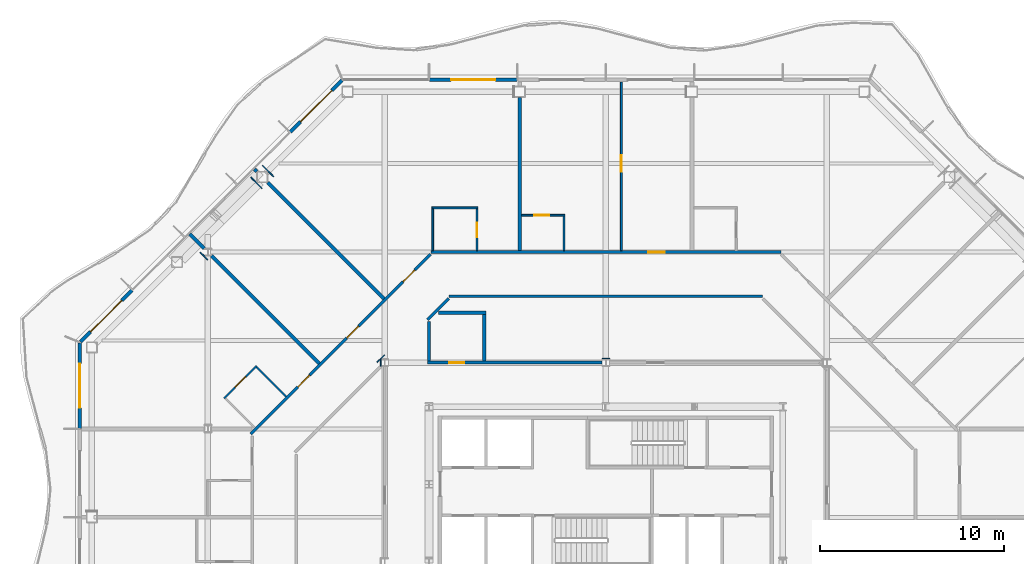
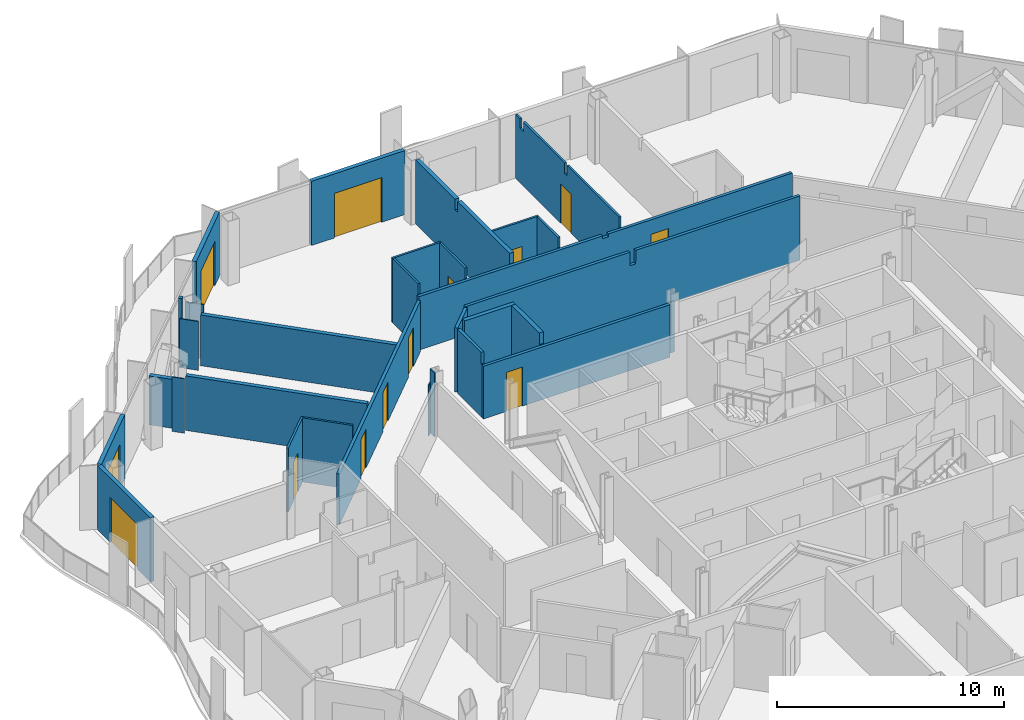
# One storey, part 12 of 21: 31 walls, 13 doors, 13 openings.
"""IFC4 building model written with IfcOpenShell, lengths in metres."""

import ifcopenshell
import ifcopenshell.guid

model = None  # the IFC model being written
_history = None  # IfcOwnerHistory: only IFC2X3 demands one
_inside = {}  # id of a spatial element -> (the spatial element, [elements in it])
_under = {}  # id of a project, library or spatial element -> (it, [spatial elements below it])
_declared = {}  # id of a project -> (the project, [libraries it declares])
_typed = {}  # id of a type object -> (the type object, [elements of that type])
_made_of = {}  # id of a material, layer set ... -> (it, [elements and type objects made of it])


def new_model(schema):
    """Start an empty IFC model of exactly this schema.

    Asked for "IFC4X3", IfcOpenShell would pick the latest addendum, in which some entities
    have other attributes; the version numbers below select the first issue.
    IFC2X3 requires an IfcOwnerHistory on every rooted entity: one is made here for all.
    """
    global model, _history
    if schema == "IFC4X3":
        model = ifcopenshell.file(schema_version=(4, 3, 0, 0))
    else:
        model = ifcopenshell.file(schema=schema)
    _inside.clear()
    _under.clear()
    _declared.clear()
    _typed.clear()
    _made_of.clear()
    _history = None
    if model.schema == "IFC2X3":
        org = make("IfcOrganization", Name="unknown")
        user = make(
            "IfcPersonAndOrganization",
            ThePerson=make("IfcPerson", FamilyName="unknown"),
            TheOrganization=org,
        )
        app = make(
            "IfcApplication",
            ApplicationDeveloper=org,
            Version="unknown",
            ApplicationFullName="unknown",
            ApplicationIdentifier="unknown",
        )
        _history = make(
            "IfcOwnerHistory",
            OwningUser=user,
            OwningApplication=app,
            ChangeAction="ADDED",
            CreationDate=0,
        )
    return model


def make(cls, **values):
    """One entity of the class cls with the attributes given. An attribute that is None is left unset."""
    return model.create_entity(
        cls, **{name: value for name, value in values.items() if value is not None}
    )


def rooted(cls, **values):
    """An entity with a GlobalId (a new one), such as an element, a storey or a relation."""
    return make(cls, GlobalId=ifcopenshell.guid.new(), OwnerHistory=_history, **values)


def si_unit(unit_type, name, prefix=None):
    """IfcSIUnit, for example si_unit("LENGTHUNIT", "METRE", prefix="MILLI")."""
    return make("IfcSIUnit", UnitType=unit_type, Prefix=prefix, Name=name)


def assignment(units):
    """IfcUnitAssignment: the units of a project."""
    return None if units is None else make("IfcUnitAssignment", Units=units)


def point(xyz):
    """IfcCartesianPoint."""
    return None if xyz is None else make("IfcCartesianPoint", Coordinates=xyz)


def direction(xyz):
    """IfcDirection."""
    return None if xyz is None else make("IfcDirection", DirectionRatios=xyz)


def frame(location, z_axis=None, x_axis=None):
    """IfcAxis2Placement3D, a coordinate frame: its origin and axes. An axis left out is left unset."""
    return make(
        "IfcAxis2Placement3D",
        Location=point(location),
        Axis=direction(z_axis),
        RefDirection=direction(x_axis),
    )


def frame_2d(location, x_axis=None):
    """IfcAxis2Placement2D, a coordinate frame in the plane: its origin and x axis."""
    return make(
        "IfcAxis2Placement2D", Location=point(location), RefDirection=direction(x_axis)
    )


def origin():
    """The frame at (0, 0, 0) with its axes left unset."""
    return frame((0.0, 0.0, 0.0))


def place(relative_to, where):
    """IfcLocalPlacement: puts the frame where relative to a parent placement (None: the world)."""
    return make(
        "IfcLocalPlacement", PlacementRelTo=relative_to, RelativePlacement=where
    )


def context(
    kind, dimensions, precision=None, world=None, true_north=None, identifier=None
):
    """IfcGeometricRepresentationContext, for example the 3D "Model" context."""
    return make(
        "IfcGeometricRepresentationContext",
        ContextIdentifier=identifier,
        ContextType=kind,
        CoordinateSpaceDimension=dimensions,
        Precision=precision,
        WorldCoordinateSystem=world,
        TrueNorth=true_north,
    )


def subcontext(parent, identifier, kind, view, scale=None):
    """IfcGeometricRepresentationSubContext, for example "Body" below "Model"."""
    return make(
        "IfcGeometricRepresentationSubContext",
        ContextIdentifier=identifier,
        ContextType=kind,
        ParentContext=parent,
        TargetScale=scale,
        TargetView=view,
    )


def project(units=None, contexts=None):
    """IfcProject with its units and contexts."""
    return rooted(
        "IfcProject",
        Name="project",
        RepresentationContexts=contexts,
        UnitsInContext=assignment(units),
    )


def spatial(cls, under=None, at=None, **own):
    """A site, building, storey or space (cls), placed at a placement, below another one or the project."""
    s = rooted(cls, ObjectPlacement=at, **own)
    if under is not None:
        _under.setdefault(under.id(), (under, []))[1].append(s)
    return s


def polyline(points):
    """IfcPolyline through the points."""
    return make("IfcPolyline", Points=[point(p) for p in points])


def profile(cls, at=None, kind="AREA", **sizes):
    """A parametric profile (cls). Its sizes go by their IFC names, for example OverallWidth=200.0."""
    return make(cls, ProfileType=kind, Position=at, **sizes)


def rectangle(**sizes):
    """IfcRectangleProfileDef."""
    return profile("IfcRectangleProfileDef", **sizes)


def outline(outer, holes=None, kind="AREA"):
    """IfcArbitraryClosedProfileDef: a profile drawn as a closed curve; with holes, ...WithVoids."""
    if holes is None:
        return make("IfcArbitraryClosedProfileDef", ProfileType=kind, OuterCurve=outer)
    return make(
        "IfcArbitraryProfileDefWithVoids",
        ProfileType=kind,
        OuterCurve=outer,
        InnerCurves=holes,
    )


def extrude(swept, where, along, depth):
    """IfcExtrudedAreaSolid: the profile swept, set in the frame where, extruded along a direction by depth."""
    return make(
        "IfcExtrudedAreaSolid",
        SweptArea=swept,
        Position=where,
        ExtrudedDirection=direction(along),
        Depth=depth,
    )


def shape(context_of_items, identifier, shape_type, items):
    """IfcShapeRepresentation: the items that make up one representation, for example the "Body"."""
    return make(
        "IfcShapeRepresentation",
        ContextOfItems=context_of_items,
        RepresentationIdentifier=identifier,
        RepresentationType=shape_type,
        Items=items,
    )


def material(Name=None, Category=None):
    """IfcMaterial."""
    return make("IfcMaterial", Name=Name, Category=Category)


def layer(
    of_material, thickness, ventilated=None, Name=None, Category=None, Priority=None
):
    """IfcMaterialLayer: one layer of a wall or slab, of a material (None: an air gap)."""
    return make(
        "IfcMaterialLayer",
        Material=of_material,
        LayerThickness=thickness,
        IsVentilated=ventilated,
        Name=Name,
        Category=Category,
        Priority=Priority,
    )


def layer_set(layers, Name=None):
    """IfcMaterialLayerSet."""
    return make("IfcMaterialLayerSet", MaterialLayers=layers, LayerSetName=Name)


def made_of(thing, what):
    """Note that an element or type object is made of a material, layer set ...; save() writes the relation."""
    if what is not None:
        _made_of.setdefault(what.id(), (what, []))[1].append(thing)
    return thing


def type_object(cls, material=None, **own):
    """A type object (cls), such as IfcWallType, which elements share."""
    return made_of(rooted(cls, **own), material)


def element(
    cls,
    number,
    at=None,
    inside=None,
    cuts=None,
    type_object=None,
    material=None,
    context=None,
    identifier="Body",
    shape_type=None,
    held_by="IfcProductDefinitionShape",
    body=None,
    shapes=None,
    **own,
):
    """One element of the class cls, such as IfcWall. Its Tag is "e" and its number.

    at: its placement. inside: the storey or other place that contains it. cuts: it is an
    opening in that element (IfcRelVoidsElement). A single representation is given by context,
    identifier, shape_type and body (its items); several are given by shapes. held_by: the class
    of the entity that holds the representations. save() writes the other relations.
    """
    e = rooted(cls, Tag="e%d" % number, ObjectPlacement=at, **own)
    if body is not None:
        shapes = [shape(context, identifier, shape_type, body)]
    if shapes is not None:
        e.Representation = make(held_by, Representations=shapes)
    if inside is not None:
        _inside.setdefault(inside.id(), (inside, []))[1].append(e)
    if cuts is not None:
        rooted(
            "IfcRelVoidsElement", RelatingBuildingElement=cuts, RelatedOpeningElement=e
        )
    if type_object is not None:
        _typed.setdefault(type_object.id(), (type_object, []))[1].append(e)
    return made_of(e, material)


def fill(opening, filler):
    """IfcRelFillsElement: the door or window that sits in an opening."""
    return rooted(
        "IfcRelFillsElement",
        RelatingOpeningElement=opening,
        RelatedBuildingElement=filler,
    )


def aggregate(whole, parts):
    """IfcRelAggregates: a whole, such as a stair, and the parts it consists of."""
    return rooted("IfcRelAggregates", RelatingObject=whole, RelatedObjects=parts)


def save(model, path):
    """Write the relations noted so far, then the file.

    IfcRelAggregates (storeys below a building ...), IfcRelContainedInSpatialStructure (elements
    in a storey), IfcRelDefinesByType, IfcRelAssociatesMaterial and IfcRelDeclares: one each for
    every whole, place, type object, material and project.
    """
    for whole, parts in _under.values():
        aggregate(whole, parts)
    for where, things in _inside.values():
        rooted(
            "IfcRelContainedInSpatialStructure",
            RelatedElements=things,
            RelatingStructure=where,
        )
    for kind, things in _typed.values():
        rooted("IfcRelDefinesByType", RelatedObjects=things, RelatingType=kind)
    for what, things in _made_of.values():
        rooted("IfcRelAssociatesMaterial", RelatedObjects=things, RelatingMaterial=what)
    for by, libraries in _declared.values():
        rooted("IfcRelDeclares", RelatingContext=by, RelatedDefinitions=libraries)
    model.write(path)


model = new_model("IFC4")

# Units and contexts
model_context = context("Model", 3, precision=1e-05, world=origin(), true_north=direction((0.0, 1.0)))
body_context = subcontext(model_context, "Body", "Model", "MODEL_VIEW")
ifc_project = project(units=[si_unit("LENGTHUNIT", "METRE"), si_unit("AREAUNIT", "SQUARE_METRE"), si_unit("VOLUMEUNIT", "CUBIC_METRE"), si_unit("PLANEANGLEUNIT", "RADIAN"), si_unit("MASSUNIT", "GRAM", prefix="KILO")], contexts=[model_context])

# Site, building, storey
site_placement = place(None, origin())
site = spatial("IfcSite", under=ifc_project, at=site_placement, CompositionType="ELEMENT")
building_placement = place(site_placement, origin())
building = spatial("IfcBuilding", under=site, at=building_placement, Name="Cairn Pilgrim Tower", CompositionType="ELEMENT")
storey_placement = place(building_placement, frame((0.0, 0.0, 150.60009765625)))
storey = spatial("IfcBuildingStorey", under=building, at=storey_placement, Name="L37", CompositionType="ELEMENT", Elevation=150.60009765625)

# Wall, opening, door
ifc_material_1 = material(Name="Bronze anodised aluminium insulated sandwich panel with mineral wool fill", Category="aluminium")
ifc_layer_1 = layer(ifc_material_1, 0.199951171875)
ifc_layer_set_1 = layer_set([ifc_layer_1], Name="BRONZE INFILL FRAME WALL 200")
wall_type_1 = type_object("IfcWallType", Name="BRONZE INFILL FRAME WALL 200", PredefinedType="NOTDEFINED", material=ifc_layer_set_1)
wall_1_placement = place(storey_placement, frame((2.3701171875, 28.550048828125, 0.0), z_axis=(0.0, 0.0, 1.0), x_axis=(-1.0, 0.0, 0.0)))
wall_1 = element("IfcWall", 1, at=wall_1_placement, inside=storey, type_object=wall_type_1, Name="Bronze infill frame wall IW-N5", PredefinedType="NOTDEFINED", context=body_context, shape_type="SweptSolid", body=[
    extrude(rectangle(XDim=4.740234375, YDim=0.199951171875, at=frame_2d((2.3701171875, 0.0))), origin(), (0.0, 0.0, 1.0), 3.449951171875),
])
opening_1_placement = place(wall_1_placement, frame((1.169677734375, 0.0, 0.0)))
opening_1 = element("IfcOpeningElement", 2, at=opening_1_placement, cuts=wall_1, Name="Opening 3711B", PredefinedType="OPENING", context=body_context, shape_type="SweptSolid", body=[
    extrude(rectangle(XDim=2.39990234375, YDim=2.39990234375, at=frame_2d((1.199951171875, 1.199951171875))), frame((0.0, 0.10986328125, 0.0), z_axis=(0.0, -1.0, 0.0), x_axis=(1.0, 0.0, 0.0)), (0.0, 0.0, 1.0), 0.219970703125),
])
ifc_material_2 = material(Name="Bronze anodised aluminium frame with tinted low-E glass", Category="aluminium")
door_type_1 = type_object("IfcDoorType", Name="BALCONY SLIDING DOOR 2400x2400", OperationType="DOUBLE_DOOR_SLIDING", PredefinedType="DOOR", material=ifc_material_2)
door_1_placement = place(opening_1_placement, origin())
door_1 = element("IfcDoor", 3, at=door_1_placement, inside=storey, type_object=door_type_1, Name="Balcony sliding door 3711B", OperationType="SINGLE_SWING_LEFT", OverallHeight=2.39990234375, OverallWidth=2.39990234375, PredefinedType="DOOR", context=body_context, shape_type="SweptSolid", body=[
    extrude(rectangle(XDim=2.39990234375, YDim=2.39990234375, at=frame_2d((1.199951171875, 1.199951171875))), frame((0.0, 0.02490234375, 0.0), z_axis=(0.0, -1.0, 0.0), x_axis=(1.0, 0.0, 0.0)), (0.0, 0.0, 1.0), 0.050048828125),
])
fill(opening_1, door_1)

wall_2_placement = place(storey_placement, frame((-7.124755859375, 28.521728515625, 0.0), z_axis=(0.0, 0.0, 1.0), x_axis=(-0.707106781187, -0.707106781187, 0.0)))
wall_2 = element("IfcWall", 4, at=wall_2_placement, inside=storey, type_object=wall_type_1, Name="Bronze infill frame wall IW-NW1", PredefinedType="NOTDEFINED", context=body_context, shape_type="SweptSolid", body=[
    extrude(rectangle(XDim=3.961669921875, YDim=0.199951171875, at=frame_2d((1.98095703125, 0.0))), origin(), (0.0, 0.0, 1.0), 3.449951171875),
])
opening_2_placement = place(wall_2_placement, frame((0.775390625, 0.0, 0.0)))
opening_2 = element("IfcOpeningElement", 5, at=opening_2_placement, cuts=wall_2, Name="Opening 3711B2", PredefinedType="OPENING", context=body_context, shape_type="SweptSolid", body=[
    extrude(rectangle(XDim=2.39990234375, YDim=2.39990234375, at=frame_2d((1.199951171875, 1.199951171875))), frame((0.0, 0.10986328125, 0.0), z_axis=(0.0, -1.0, 0.0), x_axis=(1.0, 0.0, 0.0)), (0.0, 0.0, 1.0), 0.219970703125),
])
door_2_placement = place(opening_2_placement, origin())
door_2 = element("IfcDoor", 6, at=door_2_placement, inside=storey, type_object=door_type_1, Name="Balcony sliding door 3711B2", OperationType="SINGLE_SWING_LEFT", OverallHeight=2.39990234375, OverallWidth=2.39990234375, PredefinedType="DOOR", context=body_context, shape_type="SweptSolid", body=[
    extrude(rectangle(XDim=2.39990234375, YDim=2.39990234375, at=frame_2d((1.199951171875, 1.199951171875))), frame((0.0, 0.02490234375, 0.0), z_axis=(0.0, -1.0, 0.0), x_axis=(1.0, 0.0, 0.0)), (0.0, 0.0, 1.0), 0.050048828125),
])
fill(opening_2, door_2)

wall_3_placement = place(storey_placement, frame((-18.5205078125, 17.1259765625, 0.0), z_axis=(0.0, 0.0, 1.0), x_axis=(-0.707106781187, -0.707106781187, 0.0)))
wall_3 = element("IfcWall", 7, at=wall_3_placement, inside=storey, type_object=wall_type_1, Name="Bronze infill frame wall IW-NW5", PredefinedType="NOTDEFINED", context=body_context, shape_type="SweptSolid", body=[
    extrude(rectangle(XDim=3.961669921875, YDim=0.199951171875, at=frame_2d((1.98095703125, 0.0))), origin(), (0.0, 0.0, 1.0), 3.449951171875),
])
opening_3_placement = place(wall_3_placement, frame((0.785888671875, 0.0, 0.0)))
opening_3 = element("IfcOpeningElement", 8, at=opening_3_placement, cuts=wall_3, Name="Opening 3713B2", PredefinedType="OPENING", context=body_context, shape_type="SweptSolid", body=[
    extrude(rectangle(XDim=2.39990234375, YDim=2.39990234375, at=frame_2d((1.199951171875, 1.199951171875))), frame((0.0, 0.10986328125, 0.0), z_axis=(0.0, -1.0, 0.0), x_axis=(1.0, 0.0, 0.0)), (0.0, 0.0, 1.0), 0.219970703125),
])
door_3_placement = place(opening_3_placement, origin())
door_3 = element("IfcDoor", 9, at=door_3_placement, inside=storey, type_object=door_type_1, Name="Balcony sliding door 3713B2", OperationType="SINGLE_SWING_LEFT", OverallHeight=2.39990234375, OverallWidth=2.39990234375, PredefinedType="DOOR", context=body_context, shape_type="SweptSolid", body=[
    extrude(rectangle(XDim=2.39990234375, YDim=2.39990234375, at=frame_2d((1.199951171875, 1.199951171875))), frame((0.0, 0.02490234375, 0.0), z_axis=(0.0, -1.0, 0.0), x_axis=(1.0, 0.0, 0.0)), (0.0, 0.0, 1.0), 0.050048828125),
])
fill(opening_3, door_3)

wall_4_placement = place(storey_placement, frame((-21.35009765625, 14.25634765625, 0.0), z_axis=(0.0, 0.0, 1.0), x_axis=(0.0, -1.0, 0.0)))
wall_4 = element("IfcWall", 10, at=wall_4_placement, inside=storey, type_object=wall_type_1, Name="Bronze infill frame wall IW-W1", PredefinedType="NOTDEFINED", context=body_context, shape_type="SweptSolid", body=[
    extrude(rectangle(XDim=4.62646484375, YDim=0.199951171875, at=frame_2d((2.313232421875, 0.0))), origin(), (0.0, 0.0, 1.0), 3.449951171875),
])
opening_4_placement = place(wall_4_placement, frame((1.1083984375, 0.0, 0.0)))
opening_4 = element("IfcOpeningElement", 11, at=opening_4_placement, cuts=wall_4, Name="Opening 3713B", PredefinedType="OPENING", context=body_context, shape_type="SweptSolid", body=[
    extrude(rectangle(XDim=2.39990234375, YDim=2.39990234375, at=frame_2d((1.199951171875, 1.199951171875))), frame((0.0, 0.10986328125, 0.0), z_axis=(0.0, -1.0, 0.0), x_axis=(1.0, 0.0, 0.0)), (0.0, 0.0, 1.0), 0.219970703125),
])
door_4_placement = place(opening_4_placement, origin())
door_4 = element("IfcDoor", 12, at=door_4_placement, inside=storey, type_object=door_type_1, Name="Balcony sliding door 3713B", OperationType="SINGLE_SWING_LEFT", OverallHeight=2.39990234375, OverallWidth=2.39990234375, PredefinedType="DOOR", context=body_context, shape_type="SweptSolid", body=[
    extrude(rectangle(XDim=2.39990234375, YDim=2.39990234375, at=frame_2d((1.199951171875, 1.199951171875))), frame((0.0, 0.02490234375, 0.0), z_axis=(0.0, -1.0, 0.0), x_axis=(1.0, 0.0, 0.0)), (0.0, 0.0, 1.0), 0.050048828125),
])
fill(opening_4, door_4)

ifc_material_3 = material(Name="Gypsum partition")
ifc_layer_2 = layer(ifc_material_3, 0.10009765625)
ifc_layer_set_2 = layer_set([ifc_layer_2], Name="PARTITION 100 DRYWALL")
wall_type_2 = type_object("IfcWallType", Name="PARTITION 100 DRYWALL", PredefinedType="PARTITIONING", material=ifc_layer_set_2)
wall_5_placement = place(storey_placement, frame((-13.5263671875, 11.26171875, 0.0), z_axis=(0.0, 0.0, 1.0), x_axis=(0.707106781187, 0.707106781187, 0.0)))
wall_5 = element("IfcWall", 13, at=wall_5_placement, inside=storey, type_object=wall_type_2, Name="PARTITION W078", PredefinedType="PARTITIONING", context=body_context, shape_type="SweptSolid", body=[
    extrude(rectangle(XDim=2.499755859375, YDim=0.10009765625, at=frame_2d((1.25, 0.0))), origin(), (0.0, 0.0, 1.0), 3.449951171875),
])
opening_5_placement = place(wall_5_placement, frame((0.849853515625, 0.0, 0.0)))
opening_5 = element("IfcOpeningElement", 14, at=opening_5_placement, cuts=wall_5, Name="Opening 3713A", PredefinedType="OPENING", context=body_context, shape_type="SweptSolid", body=[
    extrude(rectangle(XDim=0.800048828125, YDim=2.10009765625, at=frame_2d((0.39990234375, 1.050048828125))), frame((0.0, 0.06005859375, 0.0), z_axis=(0.0, -1.0, 0.0), x_axis=(1.0, 0.0, 0.0)), (0.0, 0.0, 1.0), 0.1201171875),
])
ifc_material_4 = material(Name="Timber door leaf", Category="wood")
door_type_2 = type_object("IfcDoorType", Name="WC DOOR 800x2100", OperationType="NOTDEFINED", PredefinedType="DOOR", material=ifc_material_4)
door_5_placement = place(opening_5_placement, origin())
door_5 = element("IfcDoor", 15, at=door_5_placement, inside=storey, type_object=door_type_2, Name="DOOR 3713A", OperationType="SINGLE_SWING_RIGHT", OverallHeight=2.10009765625, OverallWidth=0.800048828125, PredefinedType="DOOR", context=body_context, shape_type="SweptSolid", body=[
    extrude(rectangle(XDim=0.800048828125, YDim=2.10009765625, at=frame_2d((0.39990234375, 1.050048828125))), frame((0.0, 0.02490234375, 0.0), z_axis=(0.0, -1.0, 0.0), x_axis=(1.0, 0.0, 0.0)), (0.0, 0.0, 1.0), 0.050048828125),
])
fill(opening_5, door_5)

# Walls
wall_6_placement = place(storey_placement, frame((-10.14990234375, 11.35009765625, 0.0), z_axis=(0.0, 0.0, 1.0), x_axis=(-0.707160441348, 0.707053116953, 0.0)))
element("IfcWall", 16, at=wall_6_placement, inside=storey, type_object=wall_type_2, Name="PARTITION W079", PredefinedType="PARTITIONING", context=body_context, shape_type="SweptSolid", body=[
    extrude(rectangle(XDim=2.27490234375, YDim=0.10009765625, at=frame_2d((1.137451171875, 0.0))), origin(), (0.0, 0.0, 1.0), 3.449951171875),
])
wall_7_placement = place(storey_placement, frame((-2.194091796875, 19.27490234375, 0.0), z_axis=(0.0, 0.0, 1.0), x_axis=(0.0, 1.0, 0.0)))
element("IfcWall", 17, at=wall_7_placement, inside=storey, type_object=wall_type_2, Name="PARTITION W095", PredefinedType="PARTITIONING", context=body_context, shape_type="SweptSolid", body=[
    extrude(outline(polyline([(0.0, 0.0), (2.275146484375, 0.0), (2.27490234375, 3.449951171875), (0.030029296875, 3.449951171875), (0.028076171875, 2.8798828125), (0.0, 2.8798828125), (0.0, 0.0)])), frame((0.0, 0.050048828125, 0.0), z_axis=(0.0, -1.0, 0.0), x_axis=(1.0, 0.0, 0.0)), (0.0, 0.0, 1.0), 0.10009765625),
])

# Wall, opening, door
wall_8_placement = place(storey_placement, frame((0.2060546875, 19.27490234375, 0.0), z_axis=(0.0, 0.0, 1.0), x_axis=(0.0, 1.0, 0.0)))
wall_8 = element("IfcWall", 18, at=wall_8_placement, inside=storey, type_object=wall_type_2, Name="PARTITION W096", PredefinedType="PARTITIONING", context=body_context, shape_type="SweptSolid", body=[
    extrude(outline(polyline([(0.0, 0.0), (2.275146484375, 0.0), (2.27490234375, 3.449951171875), (0.030029296875, 3.449951171875), (0.028076171875, 2.8798828125), (0.0, 2.8798828125), (0.0, 0.0)])), frame((0.0, 0.050048828125, 0.0), z_axis=(0.0, -1.0, 0.0), x_axis=(1.0, 0.0, 0.0)), (0.0, 0.0, 1.0), 0.10009765625),
])
opening_6_placement = place(wall_8_placement, frame((0.72509765625, 0.0, 0.0)))
opening_6 = element("IfcOpeningElement", 19, at=opening_6_placement, cuts=wall_8, Name="Opening 3711A", PredefinedType="OPENING", context=body_context, shape_type="SweptSolid", body=[
    extrude(rectangle(XDim=0.800048828125, YDim=2.10009765625, at=frame_2d((0.39990234375, 1.050048828125))), frame((0.0, 0.06005859375, 0.0), z_axis=(0.0, -1.0, 0.0), x_axis=(1.0, 0.0, 0.0)), (0.0, 0.0, 1.0), 0.1201171875),
])
door_6_placement = place(opening_6_placement, frame((0.800048828125, 0.0, 0.0), z_axis=(0.0, 0.0, 1.0), x_axis=(-1.0, 0.0, 0.0)))
door_6 = element("IfcDoor", 20, at=door_6_placement, inside=storey, type_object=door_type_2, Name="DOOR 3711A", OperationType="SINGLE_SWING_RIGHT", OverallHeight=2.10009765625, OverallWidth=0.800048828125, PredefinedType="DOOR", context=body_context, shape_type="SweptSolid", body=[
    extrude(rectangle(XDim=0.800048828125, YDim=2.10009765625, at=frame_2d((0.39990234375, 1.050048828125))), frame((0.0, 0.02490234375, 0.0), z_axis=(0.0, -1.0, 0.0), x_axis=(1.0, 0.0, 0.0)), (0.0, 0.0, 1.0), 0.050048828125),
])
fill(opening_6, door_6)

# Wall
wall_9_placement = place(storey_placement, frame((4.924072265625, 19.27490234375, 0.0), z_axis=(0.0, 0.0, 1.0), x_axis=(0.0, 1.0, 0.0)))
element("IfcWall", 21, at=wall_9_placement, inside=storey, type_object=wall_type_2, Name="PARTITION W098", PredefinedType="PARTITIONING", context=body_context, shape_type="SweptSolid", body=[
    extrude(outline(polyline([(0.0, 0.0), (1.875, 0.0), (1.875, 3.449951171875), (0.030029296875, 3.449951171875), (0.028076171875, 2.8798828125), (0.0, 2.8798828125), (0.0, 0.0)])), frame((0.0, 0.050048828125, 0.0), z_axis=(0.0, -1.0, 0.0), x_axis=(1.0, 0.0, 0.0)), (0.0, 0.0, 1.0), 0.10009765625),
])

# Wall, opening, door
wall_10_placement = place(storey_placement, frame((8.0419921875, 19.27490234375, 0.0), z_axis=(0.0, 0.0, 1.0), x_axis=(0.0, 1.0, 0.0)))
wall_10 = element("IfcWall", 22, at=wall_10_placement, inside=storey, type_object=wall_type_2, Name="PARTITION W099", PredefinedType="PARTITIONING", context=body_context, shape_type="SweptSolid", body=[
    extrude(outline(polyline([(0.0, 0.0), (9.14501953125, 0.0), (9.14501953125, 3.449951171875), (8.77490234375, 3.449951171875), (8.77294921875, 2.929931640625), (8.47509765625, 2.929931640625), (8.472900390625, 3.449951171875), (4.830078125, 3.449951171875), (4.827880859375, 2.8798828125), (4.6201171875, 2.8798828125), (4.617919921875, 3.449951171875), (0.030029296875, 3.449951171875), (0.028076171875, 2.8798828125), (0.0, 2.8798828125), (0.0, 0.0)])), frame((0.0, 0.050048828125, 0.0), z_axis=(0.0, -1.0, 0.0), x_axis=(1.0, 0.0, 0.0)), (0.0, 0.0, 1.0), 0.10009765625),
])
opening_7_placement = place(wall_10_placement, frame((4.27490234375, 0.0, 0.0)))
opening_7 = element("IfcOpeningElement", 23, at=opening_7_placement, cuts=wall_10, Name="Opening 3710C", PredefinedType="OPENING", context=body_context, shape_type="SweptSolid", body=[
    extrude(rectangle(XDim=0.89990234375, YDim=2.10009765625, at=frame_2d((0.449951171875, 1.050048828125))), frame((0.0, 0.06005859375, 0.0), z_axis=(0.0, -1.0, 0.0), x_axis=(1.0, 0.0, 0.0)), (0.0, 0.0, 1.0), 0.1201171875),
])
door_type_3 = type_object("IfcDoorType", Name="SERVICE DOOR 900x2100", OperationType="NOTDEFINED", PredefinedType="DOOR", material=ifc_material_4)
door_7_placement = place(opening_7_placement, frame((0.89990234375, 0.0, 0.0), z_axis=(0.0, 0.0, 1.0), x_axis=(-1.0, 0.0, 0.0)))
door_7 = element("IfcDoor", 24, at=door_7_placement, inside=storey, type_object=door_type_3, Name="DOOR 3710C", OperationType="SINGLE_SWING_RIGHT", OverallHeight=2.10009765625, OverallWidth=0.89990234375, PredefinedType="DOOR", context=body_context, shape_type="SweptSolid", body=[
    extrude(rectangle(XDim=0.89990234375, YDim=2.10009765625, at=frame_2d((0.449951171875, 1.050048828125))), frame((0.0, 0.02490234375, 0.0), z_axis=(0.0, -1.0, 0.0), x_axis=(1.0, 0.0, 0.0)), (0.0, 0.0, 1.0), 0.050048828125),
])
fill(opening_7, door_7)

wall_11_placement = place(storey_placement, frame((2.6240234375, 21.199951171875, 0.0), z_axis=(0.0, 0.0, 1.0), x_axis=(1.0, 0.0, 0.0)))
wall_11 = element("IfcWall", 25, at=wall_11_placement, inside=storey, type_object=wall_type_2, Name="PARTITION W103", PredefinedType="PARTITIONING", context=body_context, shape_type="SweptSolid", body=[
    extrude(rectangle(XDim=2.35009765625, YDim=0.10009765625, at=frame_2d((1.175048828125, 0.0))), origin(), (0.0, 0.0, 1.0), 3.449951171875),
])
opening_8_placement = place(wall_11_placement, frame((0.699951171875, 0.0, 0.0)))
opening_8 = element("IfcOpeningElement", 26, at=opening_8_placement, cuts=wall_11, Name="Opening 3710A", PredefinedType="OPENING", context=body_context, shape_type="SweptSolid", body=[
    extrude(rectangle(XDim=0.800048828125, YDim=2.10009765625, at=frame_2d((0.39990234375, 1.050048828125))), frame((0.0, 0.06005859375, 0.0), z_axis=(0.0, -1.0, 0.0), x_axis=(1.0, 0.0, 0.0)), (0.0, 0.0, 1.0), 0.1201171875),
])
door_8_placement = place(opening_8_placement, origin())
door_8 = element("IfcDoor", 27, at=door_8_placement, inside=storey, type_object=door_type_2, Name="DOOR 3710A", OperationType="SINGLE_SWING_RIGHT", OverallHeight=2.10009765625, OverallWidth=0.800048828125, PredefinedType="DOOR", context=body_context, shape_type="SweptSolid", body=[
    extrude(rectangle(XDim=0.800048828125, YDim=2.10009765625, at=frame_2d((0.39990234375, 1.050048828125))), frame((0.0, 0.02490234375, 0.0), z_axis=(0.0, -1.0, 0.0), x_axis=(1.0, 0.0, 0.0)), (0.0, 0.0, 1.0), 0.050048828125),
])
fill(opening_8, door_8)

# Wall
wall_12_placement = place(storey_placement, frame((-2.243896484375, 21.60009765625, 0.0), z_axis=(0.0, 0.0, 1.0), x_axis=(1.0, 0.0, 0.0)))
element("IfcWall", 28, at=wall_12_placement, inside=storey, type_object=wall_type_2, Name="PARTITION W104", PredefinedType="PARTITIONING", context=body_context, shape_type="SweptSolid", body=[
    extrude(rectangle(XDim=2.5, YDim=0.10009765625, at=frame_2d((1.25, 0.0))), origin(), (0.0, 0.0, 1.0), 3.449951171875),
])

# Wall, openings, doors
ifc_layer_3 = layer(ifc_material_3, 0.14990234375)
ifc_layer_set_3 = layer_set([ifc_layer_3], Name="PARTITION 150 DRYWALL EI 60")
wall_type_3 = type_object("IfcWallType", Name="PARTITION 150 DRYWALL EI 60", PredefinedType="PARTITIONING", material=ifc_layer_set_3)
wall_13_placement = place(storey_placement, frame((-12.074951171875, 9.319091796875, 0.0), z_axis=(0.0, 0.0, 1.0), x_axis=(0.707106781187, 0.707106781187, 0.0)))
wall_13 = element("IfcWall", 29, at=wall_13_placement, inside=storey, type_object=wall_type_3, Name="PARTITION W070", PredefinedType="PARTITIONING", context=body_context, shape_type="SweptSolid", body=[
    extrude(rectangle(XDim=13.792724609375, YDim=0.14990234375, at=frame_2d((6.896484375, 0.0))), origin(), (0.0, 0.0, 1.0), 2.72998046875),
])
opening_9_placement = place(wall_13_placement, frame((11.691650390625, 0.0, 0.0)))
opening_9 = element("IfcOpeningElement", 30, at=opening_9_placement, cuts=wall_13, Name="Opening 3711", PredefinedType="OPENING", context=body_context, shape_type="SweptSolid", body=[
    extrude(rectangle(XDim=0.89990234375, YDim=2.10009765625, at=frame_2d((0.449951171875, 1.050048828125))), frame((0.0, 0.0849609375, 0.0), z_axis=(0.0, -1.0, 0.0), x_axis=(1.0, 0.0, 0.0)), (0.0, 0.0, 1.0), 0.169921875),
])
opening_10_placement = place(wall_13_placement, frame((7.3759765625, 0.0, 0.0)))
opening_10 = element("IfcOpeningElement", 31, at=opening_10_placement, cuts=wall_13, Name="Opening 3712", PredefinedType="OPENING", context=body_context, shape_type="SweptSolid", body=[
    extrude(rectangle(XDim=0.89990234375, YDim=2.10009765625, at=frame_2d((0.449951171875, 1.050048828125))), frame((0.0, 0.0849609375, 0.0), z_axis=(0.0, -1.0, 0.0), x_axis=(1.0, 0.0, 0.0)), (0.0, 0.0, 1.0), 0.169921875),
])
opening_11_placement = place(wall_13_placement, frame((3.620361328125, 0.0, 0.0)))
opening_11 = element("IfcOpeningElement", 32, at=opening_11_placement, cuts=wall_13, Name="Opening 3713", PredefinedType="OPENING", context=body_context, shape_type="SweptSolid", body=[
    extrude(rectangle(XDim=0.89990234375, YDim=2.10009765625, at=frame_2d((0.449951171875, 1.050048828125))), frame((0.0, 0.0849609375, 0.0), z_axis=(0.0, -1.0, 0.0), x_axis=(1.0, 0.0, 0.0)), (0.0, 0.0, 1.0), 0.169921875),
])
door_type_4 = type_object("IfcDoorType", Name="ROOM DOOR 900x2100 FD30S", OperationType="NOTDEFINED", PredefinedType="DOOR", material=ifc_material_4)
door_9_placement = place(opening_9_placement, origin())
door_9 = element("IfcDoor", 33, at=door_9_placement, inside=storey, type_object=door_type_4, Name="DOOR 3711", OperationType="SINGLE_SWING_RIGHT", OverallHeight=2.10009765625, OverallWidth=0.89990234375, PredefinedType="DOOR", context=body_context, shape_type="SweptSolid", body=[
    extrude(rectangle(XDim=0.89990234375, YDim=2.10009765625, at=frame_2d((0.449951171875, 1.050048828125))), frame((0.0, 0.02490234375, 0.0), z_axis=(0.0, -1.0, 0.0), x_axis=(1.0, 0.0, 0.0)), (0.0, 0.0, 1.0), 0.050048828125),
])
fill(opening_9, door_9)
door_10_placement = place(opening_11_placement, origin())
door_10 = element("IfcDoor", 34, at=door_10_placement, inside=storey, type_object=door_type_4, Name="DOOR 3713", OperationType="SINGLE_SWING_RIGHT", OverallHeight=2.10009765625, OverallWidth=0.89990234375, PredefinedType="DOOR", context=body_context, shape_type="SweptSolid", body=[
    extrude(rectangle(XDim=0.89990234375, YDim=2.10009765625, at=frame_2d((0.449951171875, 1.050048828125))), frame((0.0, 0.02490234375, 0.0), z_axis=(0.0, -1.0, 0.0), x_axis=(1.0, 0.0, 0.0)), (0.0, 0.0, 1.0), 0.050048828125),
])
fill(opening_11, door_10)
door_type_5 = type_object("IfcDoorType", Name="SERVICE DOOR 900x2100 FD30S", OperationType="NOTDEFINED", PredefinedType="DOOR", material=ifc_material_4)
door_11_placement = place(opening_10_placement, origin())
door_11 = element("IfcDoor", 35, at=door_11_placement, inside=storey, type_object=door_type_5, Name="DOOR 3712", OperationType="SINGLE_SWING_RIGHT", OverallHeight=2.10009765625, OverallWidth=0.89990234375, PredefinedType="DOOR", context=body_context, shape_type="SweptSolid", body=[
    extrude(rectangle(XDim=0.89990234375, YDim=2.10009765625, at=frame_2d((0.449951171875, 1.050048828125))), frame((0.0, 0.02490234375, 0.0), z_axis=(0.0, -1.0, 0.0), x_axis=(1.0, 0.0, 0.0)), (0.0, 0.0, 1.0), 0.050048828125),
])
fill(opening_10, door_11)

# Wall, opening, door
wall_14_placement = place(storey_placement, frame((-2.47509765625, 13.199951171875, 0.0), z_axis=(0.0, 0.0, 1.0), x_axis=(1.0, 0.0, 0.0)))
wall_14 = element("IfcWall", 36, at=wall_14_placement, inside=storey, type_object=wall_type_3, Name="PARTITION W082", PredefinedType="PARTITIONING", context=body_context, shape_type="SweptSolid", body=[
    extrude(rectangle(XDim=9.4755859375, YDim=0.14990234375, at=frame_2d((4.73779296875, 0.0))), origin(), (0.0, 0.0, 1.0), 2.829833984375),
])
opening_12_placement = place(wall_14_placement, frame((1.175048828125, 0.0, 0.0)))
opening_12 = element("IfcOpeningElement", 37, at=opening_12_placement, cuts=wall_14, Name="Opening 3723", PredefinedType="OPENING", context=body_context, shape_type="SweptSolid", body=[
    extrude(rectangle(XDim=0.800048828125, YDim=2.10009765625, at=frame_2d((0.39990234375, 1.050048828125))), frame((0.0, 0.0849609375, 0.0), z_axis=(0.0, -1.0, 0.0), x_axis=(1.0, 0.0, 0.0)), (0.0, 0.0, 1.0), 0.169921875),
])
door_type_6 = type_object("IfcDoorType", Name="WC DOOR 800x2100 FD30S", OperationType="NOTDEFINED", PredefinedType="DOOR", material=ifc_material_4)
door_12_placement = place(opening_12_placement, origin())
door_12 = element("IfcDoor", 38, at=door_12_placement, inside=storey, type_object=door_type_6, Name="DOOR 3723", OperationType="SINGLE_SWING_LEFT", OverallHeight=2.10009765625, OverallWidth=0.800048828125, PredefinedType="DOOR", context=body_context, shape_type="SweptSolid", body=[
    extrude(rectangle(XDim=0.800048828125, YDim=2.10009765625, at=frame_2d((0.39990234375, 1.050048828125))), frame((0.0, 0.02490234375, 0.0), z_axis=(0.0, -1.0, 0.0), x_axis=(1.0, 0.0, 0.0)), (0.0, 0.0, 1.0), 0.050048828125),
])
fill(opening_12, door_12)

# Walls
wall_15_placement = place(storey_placement, frame((-2.39990234375, 13.27490234375, 0.0), z_axis=(0.0, 0.0, 1.0), x_axis=(0.0, 1.0, 0.0)))
element("IfcWall", 39, at=wall_15_placement, inside=storey, type_object=wall_type_3, Name="PARTITION W084", PredefinedType="PARTITIONING", context=body_context, shape_type="SweptSolid", body=[
    extrude(outline(polyline([(0.0, 0.0), (2.14404296875, 0.0), (2.143798828125, 3.449951171875), (0.074951171875, 3.449951171875), (0.072998046875, 2.829833984375), (0.0, 2.829833984375), (0.0, 0.0)])), frame((0.0, 0.074951171875, 0.0), z_axis=(0.0, -1.0, 0.0), x_axis=(1.0, 0.0, 0.0)), (0.0, 0.0, 1.0), 0.14990234375),
])
wall_16_placement = place(storey_placement, frame((-2.47509765625, 15.52490234375, 0.0), z_axis=(0.0, 0.0, 1.0), x_axis=(0.707106781187, 0.707106781187, 0.0)))
element("IfcWall", 40, at=wall_16_placement, inside=storey, type_object=wall_type_3, Name="PARTITION W088", PredefinedType="PARTITIONING", context=body_context, shape_type="SweptSolid", body=[
    extrude(rectangle(XDim=1.622314453125, YDim=0.14990234375, at=frame_2d((0.81103515625, 0.0))), origin(), (0.0, 0.0, 1.0), 3.449951171875),
])
wall_17_placement = place(storey_placement, frame((-1.30615234375, 16.800048828125, 0.0), z_axis=(0.0, 0.0, 1.0), x_axis=(1.0, 0.0, 0.0)))
element("IfcWall", 41, at=wall_17_placement, inside=storey, type_object=wall_type_3, Name="PARTITION W092", PredefinedType="PARTITIONING", context=body_context, shape_type="SweptSolid", body=[
    extrude(outline(polyline([(0.0, 0.0), (17.01220703125, 0.0), (17.01220703125, 3.449951171875), (8.656005859375, 3.449951171875), (8.654052734375, 2.72998046875), (8.356201171875, 2.72998046875), (8.35400390625, 3.449951171875), (0.0, 3.449951171875), (0.0, 0.0)])), frame((0.0, 0.074951171875, 0.0), z_axis=(0.0, -1.0, 0.0), x_axis=(1.0, 0.0, 0.0)), (0.0, 0.0, 1.0), 0.14990234375),
])

# Wall, opening, door
wall_18_placement = place(storey_placement, frame((-2.300048828125, 19.199951171875, 0.0), z_axis=(0.0, 0.0, 1.0), x_axis=(1.0, 0.0, 0.0)))
wall_18 = element("IfcWall", 42, at=wall_18_placement, inside=storey, type_object=wall_type_3, Name="PARTITION W094", PredefinedType="PARTITIONING", context=body_context, shape_type="SweptSolid", body=[
    extrude(outline(polyline([(0.0, 0.0), (19.0, 0.0), (19.0, 2.8798828125), (9.650146484375, 2.8798828125), (9.648193359375, 2.72998046875), (9.35009765625, 2.72998046875), (9.34814453125, 2.8798828125), (0.0, 2.8798828125), (0.0, 0.0)])), frame((0.0, 0.074951171875, 0.0), z_axis=(0.0, -1.0, 0.0), x_axis=(1.0, 0.0, 0.0)), (0.0, 0.0, 1.0), 0.14990234375),
])
opening_13_placement = place(wall_18_placement, frame((11.80908203125, 0.0, 0.0)))
opening_13 = element("IfcOpeningElement", 43, at=opening_13_placement, cuts=wall_18, Name="Opening 3710", PredefinedType="OPENING", context=body_context, shape_type="SweptSolid", body=[
    extrude(rectangle(XDim=0.89990234375, YDim=2.10009765625, at=frame_2d((0.449951171875, 1.050048828125))), frame((0.0, 0.0849609375, 0.0), z_axis=(0.0, -1.0, 0.0), x_axis=(1.0, 0.0, 0.0)), (0.0, 0.0, 1.0), 0.169921875),
])
door_13_placement = place(opening_13_placement, origin())
door_13 = element("IfcDoor", 44, at=door_13_placement, inside=storey, type_object=door_type_4, Name="DOOR 3710", OperationType="SINGLE_SWING_RIGHT", OverallHeight=2.10009765625, OverallWidth=0.89990234375, PredefinedType="DOOR", context=body_context, shape_type="SweptSolid", body=[
    extrude(rectangle(XDim=0.89990234375, YDim=2.10009765625, at=frame_2d((0.449951171875, 1.050048828125))), frame((0.0, 0.02490234375, 0.0), z_axis=(0.0, -1.0, 0.0), x_axis=(1.0, 0.0, 0.0)), (0.0, 0.0, 1.0), 0.050048828125),
])
fill(opening_13, door_13)

# Walls
ifc_layer_4 = layer(ifc_material_3, 0.050048828125)
ifc_layer_set_4 = layer_set([ifc_layer_4], Name="PARTITION 50 DRYWALL EI 60")
wall_type_4 = type_object("IfcWallType", Name="PARTITION 50 DRYWALL EI 60", PredefinedType="PARTITIONING", material=ifc_layer_set_4)
wall_19_placement = place(storey_placement, frame((-5.0244140625, 13.00341796875, 0.0), z_axis=(0.0, 0.0, 1.0), x_axis=(0.0, 1.0, 0.0)))
element("IfcWall", 45, at=wall_19_placement, inside=storey, type_object=wall_type_4, Name="COLUMN CASING WC18", PredefinedType="PARTITIONING", context=body_context, shape_type="SweptSolid", body=[
    extrude(rectangle(XDim=0.39306640625, YDim=0.050048828125, at=frame_2d((0.196533203125, 0.0))), origin(), (0.0, 0.0, 1.0), 3.449951171875),
])
wall_20_placement = place(storey_placement, frame((-5.213623046875, 13.2177734375, 0.0), z_axis=(0.0, 0.0, 1.0), x_axis=(0.707106781187, 0.707106781187, 0.0)))
element("IfcWall", 46, at=wall_20_placement, inside=storey, type_object=wall_type_4, Name="COLUMN CASING WC25", PredefinedType="PARTITIONING", context=body_context, shape_type="SweptSolid", body=[
    extrude(rectangle(XDim=0.56005859375, YDim=0.050048828125, at=frame_2d((0.280029296875, 0.0))), origin(), (0.0, 0.0, 1.0), 2.72998046875),
])
wall_21_placement = place(storey_placement, frame((-14.417724609375, 18.786376953125, 0.0), z_axis=(0.0, 0.0, 1.0), x_axis=(-0.707106781187, 0.707106781187, 0.0)))
element("IfcWall", 47, at=wall_21_placement, inside=storey, type_object=wall_type_4, Name="COLUMN CASING WC31", PredefinedType="PARTITIONING", context=body_context, shape_type="SweptSolid", body=[
    extrude(rectangle(XDim=0.56005859375, YDim=0.050048828125, at=frame_2d((0.280029296875, 0.0))), origin(), (0.0, 0.0, 1.0), 2.929931640625),
])
wall_22_placement = place(storey_placement, frame((7.00048828125, 13.42138671875, 0.0), z_axis=(0.0, 0.0, 1.0), x_axis=(1.0, 0.0, 0.0)))
element("IfcWall", 48, at=wall_22_placement, inside=storey, type_object=wall_type_4, Name="COLUMN CASING WC32", PredefinedType="PARTITIONING", context=body_context, shape_type="SweptSolid", body=[
    extrude(rectangle(XDim=0.39892578125, YDim=0.050048828125, at=frame_2d((0.199462890625, 0.0))), origin(), (0.0, 0.0, 1.0), 2.72998046875),
])
wall_23_placement = place(storey_placement, frame((-11.46923828125, 22.657958984375, 0.0), z_axis=(0.0, 0.0, 1.0), x_axis=(-0.706962899457, 0.707250633645, 0.0)))
element("IfcWall", 49, at=wall_23_placement, inside=storey, type_object=wall_type_4, Name="COLUMN CASING WC34", PredefinedType="PARTITIONING", context=body_context, shape_type="SweptSolid", body=[
    extrude(rectangle(XDim=0.848388671875, YDim=0.050048828125, at=frame_2d((0.42431640625, 0.0))), origin(), (0.0, 0.0, 1.0), 2.6298828125),
])
wall_24_placement = place(storey_placement, frame((-10.833740234375, 23.29345703125, 0.0), z_axis=(0.0, 0.0, 1.0), x_axis=(-0.707250633645, 0.706962899457, 0.0)))
element("IfcWall", 50, at=wall_24_placement, inside=storey, type_object=wall_type_4, Name="COLUMN CASING WC35", PredefinedType="PARTITIONING", context=body_context, shape_type="SweptSolid", body=[
    extrude(rectangle(XDim=0.848388671875, YDim=0.050048828125, at=frame_2d((0.42431640625, 0.0))), origin(), (0.0, 0.0, 1.0), 2.929931640625),
])
ifc_layer_5 = layer(ifc_material_3, 0.199951171875)
ifc_layer_set_5 = layer_set([ifc_layer_5], Name="SHAFT WALL 200 GYPSUM EI 60")
wall_type_5 = type_object("IfcWallType", Name="SHAFT WALL 200 GYPSUM EI 60", PredefinedType="PARTITIONING", material=ifc_layer_set_5)
wall_25_placement = place(storey_placement, frame((-8.35009765625, 13.14990234375, 0.0), z_axis=(0.0, 0.0, 1.0), x_axis=(-0.707092030896, 0.707121531169, 0.0)))
element("IfcWall", 51, at=wall_25_placement, inside=storey, type_object=wall_type_5, Name="PARTITION W081", PredefinedType="PARTITIONING", context=body_context, shape_type="SweptSolid", body=[
    extrude(rectangle(XDim=8.27587890625, YDim=0.199951171875, at=frame_2d((4.137939453125, 0.0))), origin(), (0.0, 0.0, 1.0), 2.929931640625),
])
wall_26_placement = place(storey_placement, frame((0.60009765625, 13.27490234375, 0.0), z_axis=(0.0, 0.0, 1.0), x_axis=(0.0, 1.0, 0.0)))
element("IfcWall", 52, at=wall_26_placement, inside=storey, type_object=wall_type_5, Name="PARTITION W085", PredefinedType="PARTITIONING", context=body_context, shape_type="SweptSolid", body=[
    extrude(outline(polyline([(0.0, 0.0), (2.525146484375, 0.0), (2.52490234375, 3.449951171875), (0.074951171875, 3.449951171875), (0.072998046875, 2.829833984375), (0.0, 2.829833984375), (0.0, 0.0)])), frame((0.0, 0.10009765625, 0.0), z_axis=(0.0, -1.0, 0.0), x_axis=(1.0, 0.0, 0.0)), (0.0, 0.0, 1.0), 0.199951171875),
])
wall_27_placement = place(storey_placement, frame((-1.893798828125, 15.89990234375, 0.0), z_axis=(0.0, 0.0, 1.0), x_axis=(1.0, 0.0, 0.0)))
element("IfcWall", 53, at=wall_27_placement, inside=storey, type_object=wall_type_5, Name="PARTITION W089", PredefinedType="PARTITIONING", context=body_context, shape_type="SweptSolid", body=[
    extrude(rectangle(XDim=2.59375, YDim=0.199951171875, at=frame_2d((1.296875, 0.0))), origin(), (0.0, 0.0, 1.0), 3.449951171875),
])
wall_28_placement = place(storey_placement, frame((-4.837890625, 16.662109375, 0.0), z_axis=(0.0, 0.0, 1.0), x_axis=(-0.707120452615, 0.707093109494, 0.0)))
element("IfcWall", 54, at=wall_28_placement, inside=storey, type_object=wall_type_5, Name="PARTITION W090", PredefinedType="PARTITIONING", context=body_context, shape_type="SweptSolid", body=[
    extrude(rectangle(XDim=8.9287109375, YDim=0.199951171875, at=frame_2d((4.46435546875, 0.0))), origin(), (0.0, 0.0, 1.0), 2.72998046875),
])
wall_29_placement = place(storey_placement, frame((2.52392578125, 19.27490234375, 0.0), z_axis=(0.0, 0.0, 1.0), x_axis=(0.0, 1.0, 0.0)))
element("IfcWall", 55, at=wall_29_placement, inside=storey, type_object=wall_type_5, Name="PARTITION W097", PredefinedType="PARTITIONING", context=body_context, shape_type="SweptSolid", body=[
    extrude(outline(polyline([(0.0, 0.0), (8.3251953125, 0.0), (8.324951171875, 3.449951171875), (4.830078125, 3.449951171875), (4.827880859375, 2.8798828125), (4.6201171875, 2.8798828125), (4.617919921875, 3.449951171875), (0.030029296875, 3.449951171875), (0.028076171875, 2.8798828125), (0.0, 2.8798828125), (0.0, 0.0)])), frame((0.0, 0.10009765625, 0.0), z_axis=(0.0, -1.0, 0.0), x_axis=(1.0, 0.0, 0.0)), (0.0, 0.0, 1.0), 0.199951171875),
])
wall_30_placement = place(storey_placement, frame((-14.597900390625, 19.39794921875, 0.0), z_axis=(0.0, 0.0, 1.0), x_axis=(-0.707106781187, 0.707106781187, 0.0)))
element("IfcWall", 56, at=wall_30_placement, inside=storey, type_object=wall_type_5, Name="PARTITION W102", PredefinedType="PARTITIONING", context=body_context, shape_type="SweptSolid", body=[
    extrude(rectangle(XDim=1.107177734375, YDim=0.199951171875, at=frame_2d((0.5537109375, 0.0))), origin(), (0.0, 0.0, 1.0), 2.6298828125),
])
wall_31_placement = place(storey_placement, frame((-11.751708984375, 23.57568359375, 0.0), z_axis=(0.0, 0.0, 1.0), x_axis=(-0.707106781187, 0.707106781187, 0.0)))
element("IfcWall", 57, at=wall_31_placement, inside=storey, type_object=wall_type_5, Name="PARTITION W106", PredefinedType="PARTITIONING", context=body_context, shape_type="SweptSolid", body=[
    extrude(rectangle(XDim=0.165771484375, YDim=0.199951171875, at=frame_2d((0.0830078125, 0.0))), origin(), (0.0, 0.0, 1.0), 3.449951171875),
])

save(model, "model.ifc")
